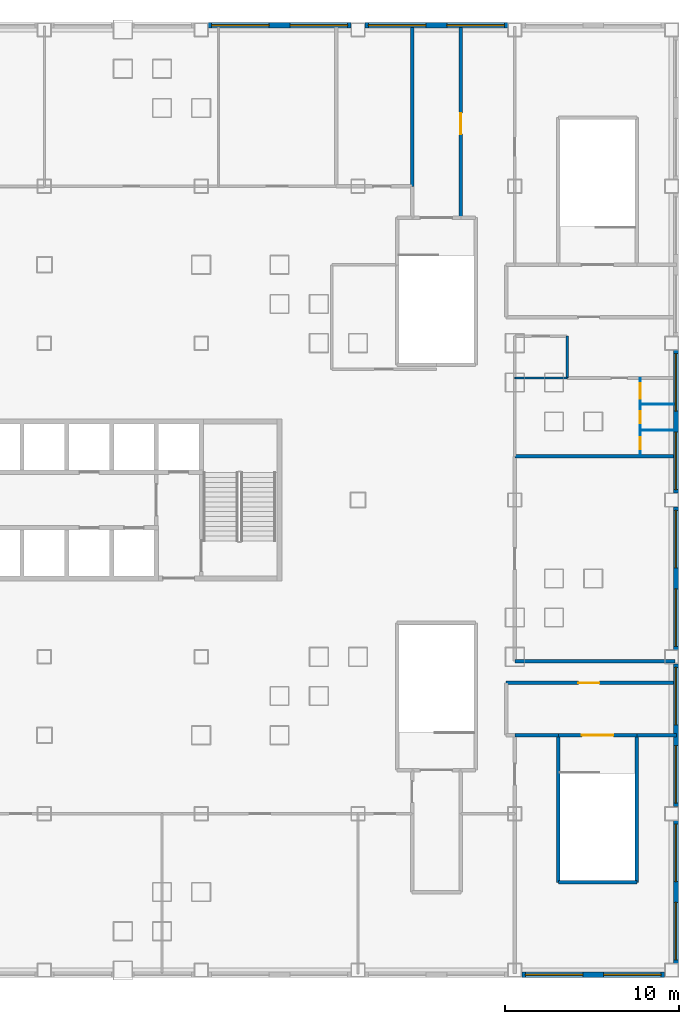
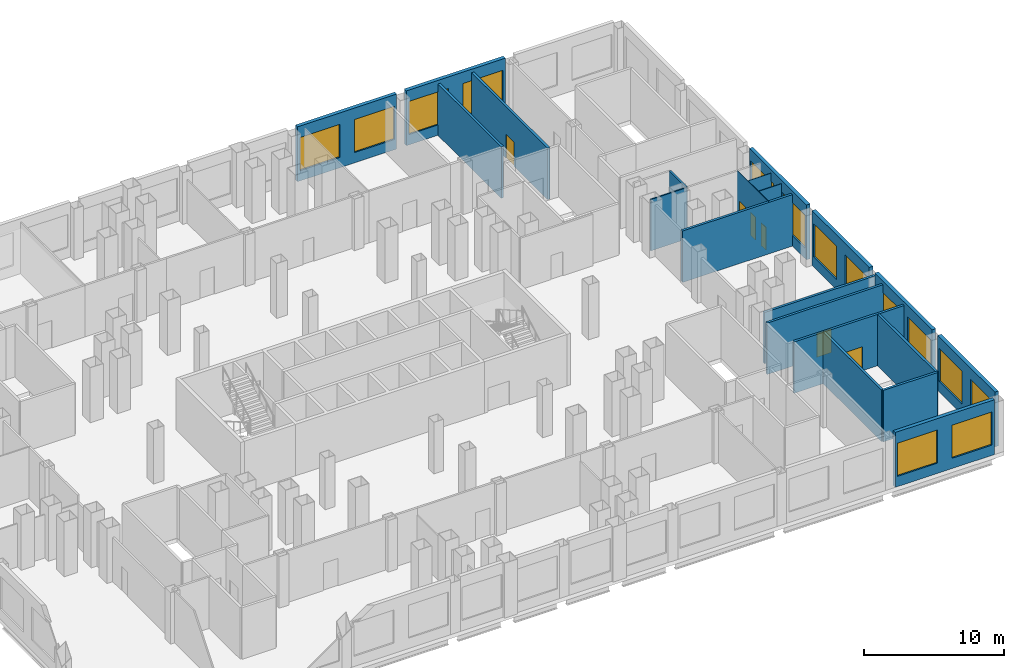
# One storey, part 7 of 13: 23 walls, 14 windows, 6 doors, 20 openings.
"""IFC4 building model written with IfcOpenShell, lengths in metres."""

from ifc_helpers import new_model, si_unit, direction, frame, frame_2d, origin, place, context, subcontext, project, spatial, rectangle, extrude, material, layer, layer_set, type_object, element, fill, save


model = new_model("IFC4")

# Units and contexts
model_context = context("Model", 3, precision=1e-05, world=origin(), true_north=direction((0.0, 1.0)))
body_context = subcontext(model_context, "Body", "Model", "MODEL_VIEW")
ifc_project = project(units=[si_unit("LENGTHUNIT", "METRE"), si_unit("AREAUNIT", "SQUARE_METRE"), si_unit("VOLUMEUNIT", "CUBIC_METRE"), si_unit("PLANEANGLEUNIT", "RADIAN"), si_unit("MASSUNIT", "GRAM", prefix="KILO")], contexts=[model_context])

# Site, building, storey
site_placement = place(None, origin())
site = spatial("IfcSite", under=ifc_project, at=site_placement, CompositionType="ELEMENT")
building_placement = place(site_placement, origin())
building = spatial("IfcBuilding", under=site, at=building_placement, Name="Caravel Reach Hotel and Residences", CompositionType="ELEMENT")
storey_placement = place(building_placement, frame((0.0, 0.0, 28.800048828125)))
storey = spatial("IfcBuildingStorey", under=building, at=storey_placement, Name="L05", CompositionType="ELEMENT", Elevation=28.800048828125)

# Walls
ifc_material_1 = material(Name="Autoclaved aerated block wall")
ifc_layer_1 = layer(ifc_material_1, 0.199951171875)
ifc_layer_set_1 = layer_set([ifc_layer_1], Name="Compartment wall 200 mm EI 120")
wall_type_1 = type_object("IfcWallType", Name="Compartment wall 200 mm EI 120", PredefinedType="PARTITIONING", material=ifc_layer_set_1)
wall_1_placement = place(storey_placement, frame((58.5, 13.5, 0.0), z_axis=(0.0, 0.0, 1.0), x_axis=(1.0, 0.0, 0.0)))
element("IfcWall", 1, at=wall_1_placement, inside=storey, type_object=wall_type_1, Name="L05 wall w045", PredefinedType="PARTITIONING", context=body_context, shape_type="SweptSolid", body=[
    extrude(rectangle(XDim=2.5, YDim=0.199951171875, at=frame_2d((1.25, 0.0))), origin(), (0.0, 0.0, 1.0), 4.5),
])
wall_2_placement = place(storey_placement, frame((65.5, 13.5, 0.0), z_axis=(0.0, 0.0, 1.0), x_axis=(1.0, 0.0, 0.0)))
element("IfcWall", 2, at=wall_2_placement, inside=storey, type_object=wall_type_1, Name="L05 wall w046", PredefinedType="PARTITIONING", context=body_context, shape_type="SweptSolid", body=[
    extrude(rectangle(XDim=2.2900390625, YDim=0.199951171875, at=frame_2d((1.14501953125, 0.0))), origin(), (0.0, 0.0, 1.0), 4.5),
])

# Wall, opening, door
wall_3_placement = place(storey_placement, frame((58.0, 16.5, 0.0), z_axis=(0.0, 0.0, 1.0), x_axis=(1.0, 0.0, 0.0)))
wall_3 = element("IfcWall", 3, at=wall_3_placement, inside=storey, type_object=wall_type_1, Name="L05 wall w047", PredefinedType="PARTITIONING", context=body_context, shape_type="SweptSolid", body=[
    extrude(rectangle(XDim=9.6201171875, YDim=0.199951171875, at=frame_2d((4.81005859375, 0.0))), origin(), (0.0, 0.0, 1.0), 4.5),
])
opening_1_placement = place(wall_3_placement, frame((4.14990234375, 0.0, 0.0)))
opening_1 = element("IfcOpeningElement", 4, at=opening_1_placement, cuts=wall_3, Name="Opening D05-026", PredefinedType="OPENING", context=body_context, shape_type="SweptSolid", body=[
    extrude(rectangle(XDim=1.199951171875, YDim=2.10009765625, at=frame_2d((0.60009765625, 1.050048828125))), frame((0.0, 0.10986328125, 0.0), z_axis=(0.0, -1.0, 0.0), x_axis=(1.0, 0.0, 0.0)), (0.0, 0.0, 1.0), 0.219970703125),
])
ifc_material_2 = material(Name="Steel fire door leaf", Category="steel")
door_type_1 = type_object("IfcDoorType", Name="Fire lobby door 1200 x 2100 EI 90", OperationType="SINGLE_SWING_LEFT", PredefinedType="DOOR", material=ifc_material_2)
door_1_placement = place(opening_1_placement, origin())
door_1 = element("IfcDoor", 5, at=door_1_placement, inside=storey, type_object=door_type_1, Name="door D05-026", OperationType="SINGLE_SWING_LEFT", OverallHeight=2.10009765625, OverallWidth=1.199951171875, PredefinedType="DOOR", context=body_context, shape_type="SweptSolid", body=[
    extrude(rectangle(XDim=1.199951171875, YDim=2.10009765625, at=frame_2d((0.60009765625, 1.050048828125))), frame((0.0, 0.02490234375, 0.0), z_axis=(0.0, -1.0, 0.0), x_axis=(1.0, 0.0, 0.0)), (0.0, 0.0, 1.0), 0.050048828125),
])
fill(opening_1, door_1)

# Walls
wall_4_placement = place(storey_placement, frame((58.5, 17.75, 0.0), z_axis=(0.0, 0.0, 1.0), x_axis=(1.0, 0.0, 0.0)))
element("IfcWall", 6, at=wall_4_placement, inside=storey, type_object=wall_type_1, Name="L05 wall w048", PredefinedType="PARTITIONING", context=body_context, shape_type="SweptSolid", body=[
    extrude(rectangle(XDim=9.18994140625, YDim=0.199951171875, at=frame_2d((4.594970703125, 0.0))), origin(), (0.0, 0.0, 1.0), 4.5),
])
for number, where, z_axis, x_axis, name in (
    (7, (58.5, 29.5, 0.0), (0.0, 0.0, 1.0), (1.0, 0.0, 0.0), "L05 wall w049"),
    (8, (52.60009765625, 45.0, 0.0), (0.0, 0.0, 1.0), (0.0, 1.0, 0.0), "L05 wall w068"),
):
    element("IfcWall", number, at=place(storey_placement, frame(where, z_axis=z_axis, x_axis=x_axis)), inside=storey, type_object=wall_type_1, Name=name, PredefinedType="PARTITIONING", context=body_context, shape_type="SweptSolid", body=[
        extrude(rectangle(XDim=9.1201171875, YDim=0.199951171875, at=frame_2d((4.56005859375, 0.0))), origin(), (0.0, 0.0, 1.0), 4.5),
    ])

# Wall, opening, door
wall_5_placement = place(storey_placement, frame((55.39990234375, 43.199951171875, 0.0), z_axis=(0.0, 0.0, 1.0), x_axis=(0.0, 1.0, 0.0)))
wall_5 = element("IfcWall", 9, at=wall_5_placement, inside=storey, type_object=wall_type_1, Name="L05 wall w071", PredefinedType="PARTITIONING", context=body_context, shape_type="SweptSolid", body=[
    extrude(rectangle(XDim=10.920166015625, YDim=0.199951171875, at=frame_2d((5.4599609375, 0.0))), origin(), (0.0, 0.0, 1.0), 4.5),
])
opening_2_placement = place(wall_5_placement, frame((4.800048828125, 0.0, 0.0)))
opening_2 = element("IfcOpeningElement", 10, at=opening_2_placement, cuts=wall_5, Name="Opening D05-016", PredefinedType="OPENING", context=body_context, shape_type="SweptSolid", body=[
    extrude(rectangle(XDim=1.199951171875, YDim=2.10009765625, at=frame_2d((0.60009765625, 1.050048828125))), frame((0.0, 0.10986328125, 0.0), z_axis=(0.0, -1.0, 0.0), x_axis=(1.0, 0.0, 0.0)), (0.0, 0.0, 1.0), 0.219970703125),
])
door_2_placement = place(opening_2_placement, origin())
door_2 = element("IfcDoor", 11, at=door_2_placement, inside=storey, type_object=door_type_1, Name="door D05-016", OperationType="SINGLE_SWING_LEFT", OverallHeight=2.10009765625, OverallWidth=1.199951171875, PredefinedType="DOOR", context=body_context, shape_type="SweptSolid", body=[
    extrude(rectangle(XDim=1.199951171875, YDim=2.10009765625, at=frame_2d((0.60009765625, 1.050048828125))), frame((0.0, 0.02490234375, 0.0), z_axis=(0.0, -1.0, 0.0), x_axis=(1.0, 0.0, 0.0)), (0.0, 0.0, 1.0), 0.050048828125),
])
fill(opening_2, door_2)

# Wall
ifc_material_3 = material(Name="Gypsum board on steel stud, fire-rated", Category="steel")
ifc_layer_2 = layer(ifc_material_3, 0.14990234375)
ifc_layer_set_2 = layer_set([ifc_layer_2], Name="Corridor wall 150 mm EI 60")
wall_type_2 = type_object("IfcWallType", Name="Corridor wall 150 mm EI 60", PredefinedType="PARTITIONING", material=ifc_layer_set_2)
wall_6_placement = place(storey_placement, frame((61.5, 34.0, 0.0), z_axis=(0.0, 0.0, 1.0), x_axis=(0.0, 1.0, 0.0)))
element("IfcWall", 12, at=wall_6_placement, inside=storey, type_object=wall_type_2, Name="L05 wall w031", PredefinedType="PARTITIONING", context=body_context, shape_type="SweptSolid", body=[
    extrude(rectangle(XDim=2.39990234375, YDim=0.14990234375, at=frame_2d((1.199951171875, 0.0))), origin(), (0.0, 0.0, 1.0), 4.5),
])

# Wall, openings, windows
ifc_material_4 = material(Name="Insulated wall, stone cladding", Category="masonry")
ifc_layer_3 = layer(ifc_material_4, 0.300048828125)
ifc_layer_set_3 = layer_set([ifc_layer_3], Name="EW2 Podium stone-clad wall")
wall_type_3 = type_object("IfcWallType", Name="EW2 Podium stone-clad wall", PredefinedType="SOLIDWALL", material=ifc_layer_set_3)
wall_7_placement = place(storey_placement, frame((67.75, 0.39990234375, 0.0), z_axis=(0.0, 0.0, 1.0), x_axis=(0.0, 1.0, 0.0)))
wall_7 = element("IfcWall", 13, at=wall_7_placement, inside=storey, type_object=wall_type_3, Name="External wall L05 E1.1", PredefinedType="SOLIDWALL", context=body_context, shape_type="SweptSolid", body=[
    extrude(rectangle(XDim=8.2001953125, YDim=0.300048828125, at=frame_2d((4.10009765625, 0.0))), origin(), (0.0, 0.0, 1.0), 4.800048828125),
])
opening_3_placement = place(wall_7_placement, frame((0.199951171875, 0.0, 0.89990234375)))
opening_3 = element("IfcOpeningElement", 14, at=opening_3_placement, cuts=wall_7, Name="Opening WN32", PredefinedType="OPENING", context=body_context, shape_type="SweptSolid", body=[
    extrude(rectangle(XDim=3.300048828125, YDim=2.89990234375, at=frame_2d((1.64990234375, 1.449951171875))), frame((0.0, 0.159912109375, 0.0), z_axis=(0.0, -1.0, 0.0), x_axis=(1.0, 0.0, 0.0)), (0.0, 0.0, 1.0), 0.320068359375),
])
opening_4_placement = place(wall_7_placement, frame((4.699951171875, 0.0, 0.89990234375)))
opening_4 = element("IfcOpeningElement", 15, at=opening_4_placement, cuts=wall_7, Name="Opening WN32", PredefinedType="OPENING", context=body_context, shape_type="SweptSolid", body=[
    extrude(rectangle(XDim=3.300048828125, YDim=2.89990234375, at=frame_2d((1.64990234375, 1.449951171875))), frame((0.0, 0.159912109375, 0.0), z_axis=(0.0, -1.0, 0.0), x_axis=(1.0, 0.0, 0.0)), (0.0, 0.0, 1.0), 0.320068359375),
])
ifc_material_5 = material(Name="Dark low-e glazing in black aluminium frame", Category="aluminium")
window_type = type_object("IfcWindowType", Name="Podium window 3300 x 2900", PartitioningType="SINGLE_PANEL", PredefinedType="WINDOW", material=ifc_material_5)
window_1_placement = place(opening_3_placement, origin())
window_1 = element("IfcWindow", 16, at=window_1_placement, inside=storey, type_object=window_type, Name="Window L05 E1.1.1", OverallHeight=2.89990234375, OverallWidth=3.300048828125, PartitioningType="SINGLE_PANEL", PredefinedType="WINDOW", context=body_context, shape_type="SweptSolid", body=[
    extrude(rectangle(XDim=3.300048828125, YDim=2.89990234375, at=frame_2d((1.64990234375, 1.449951171875))), frame((0.0, 0.030029296875, 0.0), z_axis=(0.0, -1.0, 0.0), x_axis=(1.0, 0.0, 0.0)), (0.0, 0.0, 1.0), 0.06005859375),
])
fill(opening_3, window_1)
window_2_placement = place(opening_4_placement, origin())
window_2 = element("IfcWindow", 17, at=window_2_placement, inside=storey, type_object=window_type, Name="Window L05 E1.1.2", OverallHeight=2.89990234375, OverallWidth=3.300048828125, PartitioningType="SINGLE_PANEL", PredefinedType="WINDOW", context=body_context, shape_type="SweptSolid", body=[
    extrude(rectangle(XDim=3.300048828125, YDim=2.89990234375, at=frame_2d((1.64990234375, 1.449951171875))), frame((0.0, 0.030029296875, 0.0), z_axis=(0.0, -1.0, 0.0), x_axis=(1.0, 0.0, 0.0)), (0.0, 0.0, 1.0), 0.06005859375),
])
fill(opening_4, window_2)

wall_8_placement = place(storey_placement, frame((67.75, 9.39990234375, 0.0), z_axis=(0.0, 0.0, 1.0), x_axis=(0.0, 1.0, 0.0)))
wall_8 = element("IfcWall", 18, at=wall_8_placement, inside=storey, type_object=wall_type_3, Name="External wall L05 E1.2", PredefinedType="SOLIDWALL", context=body_context, shape_type="SweptSolid", body=[
    extrude(rectangle(XDim=8.2001953125, YDim=0.300048828125, at=frame_2d((4.10009765625, 0.0))), origin(), (0.0, 0.0, 1.0), 4.800048828125),
])
opening_5_placement = place(wall_8_placement, frame((0.199951171875, 0.0, 0.89990234375)))
opening_5 = element("IfcOpeningElement", 19, at=opening_5_placement, cuts=wall_8, Name="Opening WN32", PredefinedType="OPENING", context=body_context, shape_type="SweptSolid", body=[
    extrude(rectangle(XDim=3.300048828125, YDim=2.89990234375, at=frame_2d((1.64990234375, 1.449951171875))), frame((0.0, 0.159912109375, 0.0), z_axis=(0.0, -1.0, 0.0), x_axis=(1.0, 0.0, 0.0)), (0.0, 0.0, 1.0), 0.320068359375),
])
opening_6_placement = place(wall_8_placement, frame((4.699951171875, 0.0, 0.89990234375)))
opening_6 = element("IfcOpeningElement", 20, at=opening_6_placement, cuts=wall_8, Name="Opening WN32", PredefinedType="OPENING", context=body_context, shape_type="SweptSolid", body=[
    extrude(rectangle(XDim=3.300048828125, YDim=2.89990234375, at=frame_2d((1.64990234375, 1.449951171875))), frame((0.0, 0.159912109375, 0.0), z_axis=(0.0, -1.0, 0.0), x_axis=(1.0, 0.0, 0.0)), (0.0, 0.0, 1.0), 0.320068359375),
])
window_3_placement = place(opening_5_placement, origin())
window_3 = element("IfcWindow", 21, at=window_3_placement, inside=storey, type_object=window_type, Name="Window L05 E1.2.1", OverallHeight=2.89990234375, OverallWidth=3.300048828125, PartitioningType="SINGLE_PANEL", PredefinedType="WINDOW", context=body_context, shape_type="SweptSolid", body=[
    extrude(rectangle(XDim=3.300048828125, YDim=2.89990234375, at=frame_2d((1.64990234375, 1.449951171875))), frame((0.0, 0.030029296875, 0.0), z_axis=(0.0, -1.0, 0.0), x_axis=(1.0, 0.0, 0.0)), (0.0, 0.0, 1.0), 0.06005859375),
])
fill(opening_5, window_3)
window_4_placement = place(opening_6_placement, origin())
window_4 = element("IfcWindow", 22, at=window_4_placement, inside=storey, type_object=window_type, Name="Window L05 E1.2.2", OverallHeight=2.89990234375, OverallWidth=3.300048828125, PartitioningType="SINGLE_PANEL", PredefinedType="WINDOW", context=body_context, shape_type="SweptSolid", body=[
    extrude(rectangle(XDim=3.300048828125, YDim=2.89990234375, at=frame_2d((1.64990234375, 1.449951171875))), frame((0.0, 0.030029296875, 0.0), z_axis=(0.0, -1.0, 0.0), x_axis=(1.0, 0.0, 0.0)), (0.0, 0.0, 1.0), 0.06005859375),
])
fill(opening_6, window_4)

wall_9_placement = place(storey_placement, frame((67.75, 18.39990234375, 0.0), z_axis=(0.0, 0.0, 1.0), x_axis=(0.0, 1.0, 0.0)))
wall_9 = element("IfcWall", 23, at=wall_9_placement, inside=storey, type_object=wall_type_3, Name="External wall L05 E1.3", PredefinedType="SOLIDWALL", context=body_context, shape_type="SweptSolid", body=[
    extrude(rectangle(XDim=8.2001953125, YDim=0.300048828125, at=frame_2d((4.10009765625, 0.0))), origin(), (0.0, 0.0, 1.0), 4.800048828125),
])
opening_7_placement = place(wall_9_placement, frame((0.199951171875, 0.0, 0.89990234375)))
opening_7 = element("IfcOpeningElement", 24, at=opening_7_placement, cuts=wall_9, Name="Opening WN32", PredefinedType="OPENING", context=body_context, shape_type="SweptSolid", body=[
    extrude(rectangle(XDim=3.300048828125, YDim=2.89990234375, at=frame_2d((1.64990234375, 1.449951171875))), frame((0.0, 0.159912109375, 0.0), z_axis=(0.0, -1.0, 0.0), x_axis=(1.0, 0.0, 0.0)), (0.0, 0.0, 1.0), 0.320068359375),
])
opening_8_placement = place(wall_9_placement, frame((4.699951171875, 0.0, 0.89990234375)))
opening_8 = element("IfcOpeningElement", 25, at=opening_8_placement, cuts=wall_9, Name="Opening WN32", PredefinedType="OPENING", context=body_context, shape_type="SweptSolid", body=[
    extrude(rectangle(XDim=3.300048828125, YDim=2.89990234375, at=frame_2d((1.64990234375, 1.449951171875))), frame((0.0, 0.159912109375, 0.0), z_axis=(0.0, -1.0, 0.0), x_axis=(1.0, 0.0, 0.0)), (0.0, 0.0, 1.0), 0.320068359375),
])
window_5_placement = place(opening_7_placement, origin())
window_5 = element("IfcWindow", 26, at=window_5_placement, inside=storey, type_object=window_type, Name="Window L05 E1.3.1", OverallHeight=2.89990234375, OverallWidth=3.300048828125, PartitioningType="SINGLE_PANEL", PredefinedType="WINDOW", context=body_context, shape_type="SweptSolid", body=[
    extrude(rectangle(XDim=3.300048828125, YDim=2.89990234375, at=frame_2d((1.64990234375, 1.449951171875))), frame((0.0, 0.030029296875, 0.0), z_axis=(0.0, -1.0, 0.0), x_axis=(1.0, 0.0, 0.0)), (0.0, 0.0, 1.0), 0.06005859375),
])
fill(opening_7, window_5)
window_6_placement = place(opening_8_placement, origin())
window_6 = element("IfcWindow", 27, at=window_6_placement, inside=storey, type_object=window_type, Name="Window L05 E1.3.2", OverallHeight=2.89990234375, OverallWidth=3.300048828125, PartitioningType="SINGLE_PANEL", PredefinedType="WINDOW", context=body_context, shape_type="SweptSolid", body=[
    extrude(rectangle(XDim=3.300048828125, YDim=2.89990234375, at=frame_2d((1.64990234375, 1.449951171875))), frame((0.0, 0.030029296875, 0.0), z_axis=(0.0, -1.0, 0.0), x_axis=(1.0, 0.0, 0.0)), (0.0, 0.0, 1.0), 0.06005859375),
])
fill(opening_8, window_6)

wall_10_placement = place(storey_placement, frame((67.75, 27.39990234375, 0.0), z_axis=(0.0, 0.0, 1.0), x_axis=(0.0, 1.0, 0.0)))
wall_10 = element("IfcWall", 28, at=wall_10_placement, inside=storey, type_object=wall_type_3, Name="External wall L05 E1.4", PredefinedType="SOLIDWALL", context=body_context, shape_type="SweptSolid", body=[
    extrude(rectangle(XDim=8.2001953125, YDim=0.300048828125, at=frame_2d((4.10009765625, 0.0))), origin(), (0.0, 0.0, 1.0), 4.800048828125),
])
opening_9_placement = place(wall_10_placement, frame((0.199951171875, 0.0, 0.89990234375)))
opening_9 = element("IfcOpeningElement", 29, at=opening_9_placement, cuts=wall_10, Name="Opening WN32", PredefinedType="OPENING", context=body_context, shape_type="SweptSolid", body=[
    extrude(rectangle(XDim=3.300048828125, YDim=2.89990234375, at=frame_2d((1.64990234375, 1.449951171875))), frame((0.0, 0.159912109375, 0.0), z_axis=(0.0, -1.0, 0.0), x_axis=(1.0, 0.0, 0.0)), (0.0, 0.0, 1.0), 0.320068359375),
])
opening_10_placement = place(wall_10_placement, frame((4.699951171875, 0.0, 0.89990234375)))
opening_10 = element("IfcOpeningElement", 30, at=opening_10_placement, cuts=wall_10, Name="Opening WN32", PredefinedType="OPENING", context=body_context, shape_type="SweptSolid", body=[
    extrude(rectangle(XDim=3.300048828125, YDim=2.89990234375, at=frame_2d((1.64990234375, 1.449951171875))), frame((0.0, 0.159912109375, 0.0), z_axis=(0.0, -1.0, 0.0), x_axis=(1.0, 0.0, 0.0)), (0.0, 0.0, 1.0), 0.320068359375),
])
window_7_placement = place(opening_9_placement, origin())
window_7 = element("IfcWindow", 31, at=window_7_placement, inside=storey, type_object=window_type, Name="Window L05 E1.4.1", OverallHeight=2.89990234375, OverallWidth=3.300048828125, PartitioningType="SINGLE_PANEL", PredefinedType="WINDOW", context=body_context, shape_type="SweptSolid", body=[
    extrude(rectangle(XDim=3.300048828125, YDim=2.89990234375, at=frame_2d((1.64990234375, 1.449951171875))), frame((0.0, 0.030029296875, 0.0), z_axis=(0.0, -1.0, 0.0), x_axis=(1.0, 0.0, 0.0)), (0.0, 0.0, 1.0), 0.06005859375),
])
fill(opening_9, window_7)
window_8_placement = place(opening_10_placement, origin())
window_8 = element("IfcWindow", 32, at=window_8_placement, inside=storey, type_object=window_type, Name="Window L05 E1.4.2", OverallHeight=2.89990234375, OverallWidth=3.300048828125, PartitioningType="SINGLE_PANEL", PredefinedType="WINDOW", context=body_context, shape_type="SweptSolid", body=[
    extrude(rectangle(XDim=3.300048828125, YDim=2.89990234375, at=frame_2d((1.64990234375, 1.449951171875))), frame((0.0, 0.030029296875, 0.0), z_axis=(0.0, -1.0, 0.0), x_axis=(1.0, 0.0, 0.0)), (0.0, 0.0, 1.0), 0.06005859375),
])
fill(opening_10, window_8)

wall_11_placement = place(storey_placement, frame((58.10009765625, 54.25, 0.0), z_axis=(0.0, 0.0, 1.0), x_axis=(-1.0, 0.0, 0.0)))
wall_11 = element("IfcWall", 33, at=wall_11_placement, inside=storey, type_object=wall_type_3, Name="External wall L05 N2.2", PredefinedType="SOLIDWALL", context=body_context, shape_type="SweptSolid", body=[
    extrude(rectangle(XDim=8.2001953125, YDim=0.300048828125, at=frame_2d((4.10009765625, 0.0))), origin(), (0.0, 0.0, 1.0), 4.800048828125),
])
opening_11_placement = place(wall_11_placement, frame((0.199951171875, 0.0, 0.89990234375)))
opening_11 = element("IfcOpeningElement", 34, at=opening_11_placement, cuts=wall_11, Name="Opening WN32", PredefinedType="OPENING", context=body_context, shape_type="SweptSolid", body=[
    extrude(rectangle(XDim=3.300048828125, YDim=2.89990234375, at=frame_2d((1.64990234375, 1.449951171875))), frame((0.0, 0.159912109375, 0.0), z_axis=(0.0, -1.0, 0.0), x_axis=(1.0, 0.0, 0.0)), (0.0, 0.0, 1.0), 0.320068359375),
])
opening_12_placement = place(wall_11_placement, frame((4.699951171875, 0.0, 0.89990234375)))
opening_12 = element("IfcOpeningElement", 35, at=opening_12_placement, cuts=wall_11, Name="Opening WN32", PredefinedType="OPENING", context=body_context, shape_type="SweptSolid", body=[
    extrude(rectangle(XDim=3.300048828125, YDim=2.89990234375, at=frame_2d((1.64990234375, 1.449951171875))), frame((0.0, 0.159912109375, 0.0), z_axis=(0.0, -1.0, 0.0), x_axis=(1.0, 0.0, 0.0)), (0.0, 0.0, 1.0), 0.320068359375),
])
window_9_placement = place(opening_11_placement, origin())
window_9 = element("IfcWindow", 36, at=window_9_placement, inside=storey, type_object=window_type, Name="Window L05 N2.2.1", OverallHeight=2.89990234375, OverallWidth=3.300048828125, PartitioningType="SINGLE_PANEL", PredefinedType="WINDOW", context=body_context, shape_type="SweptSolid", body=[
    extrude(rectangle(XDim=3.300048828125, YDim=2.89990234375, at=frame_2d((1.64990234375, 1.449951171875))), frame((0.0, 0.030029296875, 0.0), z_axis=(0.0, -1.0, 0.0), x_axis=(1.0, 0.0, 0.0)), (0.0, 0.0, 1.0), 0.06005859375),
])
fill(opening_11, window_9)
window_10_placement = place(opening_12_placement, origin())
window_10 = element("IfcWindow", 37, at=window_10_placement, inside=storey, type_object=window_type, Name="Window L05 N2.2.2", OverallHeight=2.89990234375, OverallWidth=3.300048828125, PartitioningType="SINGLE_PANEL", PredefinedType="WINDOW", context=body_context, shape_type="SweptSolid", body=[
    extrude(rectangle(XDim=3.300048828125, YDim=2.89990234375, at=frame_2d((1.64990234375, 1.449951171875))), frame((0.0, 0.030029296875, 0.0), z_axis=(0.0, -1.0, 0.0), x_axis=(1.0, 0.0, 0.0)), (0.0, 0.0, 1.0), 0.06005859375),
])
fill(opening_12, window_10)

wall_12_placement = place(storey_placement, frame((49.10009765625, 54.25, 0.0), z_axis=(0.0, 0.0, 1.0), x_axis=(-1.0, 0.0, 0.0)))
wall_12 = element("IfcWall", 38, at=wall_12_placement, inside=storey, type_object=wall_type_3, Name="External wall L05 N2.3", PredefinedType="SOLIDWALL", context=body_context, shape_type="SweptSolid", body=[
    extrude(rectangle(XDim=8.2001953125, YDim=0.300048828125, at=frame_2d((4.10009765625, 0.0))), origin(), (0.0, 0.0, 1.0), 4.800048828125),
])
opening_13_placement = place(wall_12_placement, frame((0.199951171875, 0.0, 0.89990234375)))
opening_13 = element("IfcOpeningElement", 39, at=opening_13_placement, cuts=wall_12, Name="Opening WN32", PredefinedType="OPENING", context=body_context, shape_type="SweptSolid", body=[
    extrude(rectangle(XDim=3.300048828125, YDim=2.89990234375, at=frame_2d((1.64990234375, 1.449951171875))), frame((0.0, 0.159912109375, 0.0), z_axis=(0.0, -1.0, 0.0), x_axis=(1.0, 0.0, 0.0)), (0.0, 0.0, 1.0), 0.320068359375),
])
opening_14_placement = place(wall_12_placement, frame((4.699951171875, 0.0, 0.89990234375)))
opening_14 = element("IfcOpeningElement", 40, at=opening_14_placement, cuts=wall_12, Name="Opening WN32", PredefinedType="OPENING", context=body_context, shape_type="SweptSolid", body=[
    extrude(rectangle(XDim=3.300048828125, YDim=2.89990234375, at=frame_2d((1.64990234375, 1.449951171875))), frame((0.0, 0.159912109375, 0.0), z_axis=(0.0, -1.0, 0.0), x_axis=(1.0, 0.0, 0.0)), (0.0, 0.0, 1.0), 0.320068359375),
])
window_11_placement = place(opening_13_placement, origin())
window_11 = element("IfcWindow", 41, at=window_11_placement, inside=storey, type_object=window_type, Name="Window L05 N2.3.1", OverallHeight=2.89990234375, OverallWidth=3.300048828125, PartitioningType="SINGLE_PANEL", PredefinedType="WINDOW", context=body_context, shape_type="SweptSolid", body=[
    extrude(rectangle(XDim=3.300048828125, YDim=2.89990234375, at=frame_2d((1.64990234375, 1.449951171875))), frame((0.0, 0.030029296875, 0.0), z_axis=(0.0, -1.0, 0.0), x_axis=(1.0, 0.0, 0.0)), (0.0, 0.0, 1.0), 0.06005859375),
])
fill(opening_13, window_11)
window_12_placement = place(opening_14_placement, origin())
window_12 = element("IfcWindow", 42, at=window_12_placement, inside=storey, type_object=window_type, Name="Window L05 N2.3.2", OverallHeight=2.89990234375, OverallWidth=3.300048828125, PartitioningType="SINGLE_PANEL", PredefinedType="WINDOW", context=body_context, shape_type="SweptSolid", body=[
    extrude(rectangle(XDim=3.300048828125, YDim=2.89990234375, at=frame_2d((1.64990234375, 1.449951171875))), frame((0.0, 0.030029296875, 0.0), z_axis=(0.0, -1.0, 0.0), x_axis=(1.0, 0.0, 0.0)), (0.0, 0.0, 1.0), 0.06005859375),
])
fill(opening_14, window_12)

wall_13_placement = place(storey_placement, frame((58.89990234375, -0.25, 0.0), z_axis=(0.0, 0.0, 1.0), x_axis=(1.0, 0.0, 0.0)))
wall_13 = element("IfcWall", 43, at=wall_13_placement, inside=storey, type_object=wall_type_3, Name="External wall L05 S4.10", PredefinedType="SOLIDWALL", context=body_context, shape_type="SweptSolid", body=[
    extrude(rectangle(XDim=8.2001953125, YDim=0.300048828125, at=frame_2d((4.10009765625, 0.0))), origin(), (0.0, 0.0, 1.0), 4.800048828125),
])
opening_15_placement = place(wall_13_placement, frame((0.199951171875, 0.0, 0.89990234375)))
opening_15 = element("IfcOpeningElement", 44, at=opening_15_placement, cuts=wall_13, Name="Opening WN32", PredefinedType="OPENING", context=body_context, shape_type="SweptSolid", body=[
    extrude(rectangle(XDim=3.300048828125, YDim=2.89990234375, at=frame_2d((1.64990234375, 1.449951171875))), frame((0.0, 0.159912109375, 0.0), z_axis=(0.0, -1.0, 0.0), x_axis=(1.0, 0.0, 0.0)), (0.0, 0.0, 1.0), 0.320068359375),
])
opening_16_placement = place(wall_13_placement, frame((4.699951171875, 0.0, 0.89990234375)))
opening_16 = element("IfcOpeningElement", 45, at=opening_16_placement, cuts=wall_13, Name="Opening WN32", PredefinedType="OPENING", context=body_context, shape_type="SweptSolid", body=[
    extrude(rectangle(XDim=3.300048828125, YDim=2.89990234375, at=frame_2d((1.64990234375, 1.449951171875))), frame((0.0, 0.159912109375, 0.0), z_axis=(0.0, -1.0, 0.0), x_axis=(1.0, 0.0, 0.0)), (0.0, 0.0, 1.0), 0.320068359375),
])
window_13_placement = place(opening_15_placement, origin())
window_13 = element("IfcWindow", 46, at=window_13_placement, inside=storey, type_object=window_type, Name="Window L05 S4.10.1", OverallHeight=2.89990234375, OverallWidth=3.300048828125, PartitioningType="SINGLE_PANEL", PredefinedType="WINDOW", context=body_context, shape_type="SweptSolid", body=[
    extrude(rectangle(XDim=3.300048828125, YDim=2.89990234375, at=frame_2d((1.64990234375, 1.449951171875))), frame((0.0, 0.030029296875, 0.0), z_axis=(0.0, -1.0, 0.0), x_axis=(1.0, 0.0, 0.0)), (0.0, 0.0, 1.0), 0.06005859375),
])
fill(opening_15, window_13)
window_14_placement = place(opening_16_placement, origin())
window_14 = element("IfcWindow", 47, at=window_14_placement, inside=storey, type_object=window_type, Name="Window L05 S4.10.2", OverallHeight=2.89990234375, OverallWidth=3.300048828125, PartitioningType="SINGLE_PANEL", PredefinedType="WINDOW", context=body_context, shape_type="SweptSolid", body=[
    extrude(rectangle(XDim=3.300048828125, YDim=2.89990234375, at=frame_2d((1.64990234375, 1.449951171875))), frame((0.0, 0.030029296875, 0.0), z_axis=(0.0, -1.0, 0.0), x_axis=(1.0, 0.0, 0.0)), (0.0, 0.0, 1.0), 0.06005859375),
])
fill(opening_16, window_14)

# Wall
ifc_material_6 = material(Name="Gypsum board on steel stud", Category="steel")
ifc_layer_4 = layer(ifc_material_6, 0.10009765625)
ifc_layer_set_4 = layer_set([ifc_layer_4], Name="Partition 100 mm")
wall_type_4 = type_object("IfcWallType", Name="Partition 100 mm", PredefinedType="PARTITIONING", material=ifc_layer_set_4)
wall_14_placement = place(storey_placement, frame((58.5, 34.0, 0.0), z_axis=(0.0, 0.0, 1.0), x_axis=(1.0, 0.0, 0.0)))
element("IfcWall", 48, at=wall_14_placement, inside=storey, type_object=wall_type_4, Name="L05 wall w035", PredefinedType="PARTITIONING", context=body_context, shape_type="SweptSolid", body=[
    extrude(rectangle(XDim=3.0, YDim=0.10009765625, at=frame_2d((1.5, 0.0))), origin(), (0.0, 0.0, 1.0), 4.5),
])

# Wall, opening, door
ifc_material_7 = material(Name="Concrete C60", Category="concrete")
ifc_layer_5 = layer(ifc_material_7, 0.199951171875)
ifc_layer_set_5 = layer_set([ifc_layer_5], Name="Stair enclosure wall 200 mm EI 120")
wall_type_5 = type_object("IfcWallType", Name="Stair enclosure wall 200 mm EI 120", PredefinedType="SHEAR", material=ifc_layer_set_5)
wall_15_placement = place(storey_placement, frame((61.0, 13.5, 0.0), z_axis=(0.0, 0.0, 1.0), x_axis=(1.0, 0.0, 0.0)))
wall_15 = element("IfcWall", 49, at=wall_15_placement, inside=storey, type_object=wall_type_5, Name="L05 wall w088", PredefinedType="SHEAR", context=body_context, shape_type="SweptSolid", body=[
    extrude(rectangle(XDim=4.5, YDim=0.199951171875, at=frame_2d((2.25, 0.0))), origin(), (0.0, 0.0, 1.0), 4.5),
])
opening_17_placement = place(wall_15_placement, frame((1.35009765625, 0.0, 0.0)))
opening_17 = element("IfcOpeningElement", 50, at=opening_17_placement, cuts=wall_15, Name="Opening D05-027", PredefinedType="OPENING", context=body_context, shape_type="SweptSolid", body=[
    extrude(rectangle(XDim=1.800048828125, YDim=2.10009765625, at=frame_2d((0.89990234375, 1.050048828125))), frame((0.0, 0.10986328125, 0.0), z_axis=(0.0, -1.0, 0.0), x_axis=(1.0, 0.0, 0.0)), (0.0, 0.0, 1.0), 0.219970703125),
])
ifc_material_8 = material(Name="Steel fire door leaf", Category="steel")
door_type_2 = type_object("IfcDoorType", Name="Stair door pair 1800 x 2100 EI 90", OperationType="DOUBLE_DOOR_SINGLE_SWING", PredefinedType="DOOR", material=ifc_material_8)
door_3_placement = place(opening_17_placement, origin())
door_3 = element("IfcDoor", 51, at=door_3_placement, inside=storey, type_object=door_type_2, Name="door D05-027", OperationType="DOUBLE_DOOR_SINGLE_SWING", OverallHeight=2.10009765625, OverallWidth=1.800048828125, PredefinedType="DOOR", context=body_context, shape_type="SweptSolid", body=[
    extrude(rectangle(XDim=1.800048828125, YDim=2.10009765625, at=frame_2d((0.89990234375, 1.050048828125))), frame((0.0, 0.02490234375, 0.0), z_axis=(0.0, -1.0, 0.0), x_axis=(1.0, 0.0, 0.0)), (0.0, 0.0, 1.0), 0.050048828125),
])
fill(opening_17, door_3)

# Walls
wall_16_placement = place(storey_placement, frame((61.0, 5.050048828125, 0.0), z_axis=(0.0, 0.0, 1.0), x_axis=(1.0, 0.0, 0.0)))
element("IfcWall", 52, at=wall_16_placement, inside=storey, type_object=wall_type_5, Name="L05 wall w104", PredefinedType="SHEAR", context=body_context, shape_type="SweptSolid", body=[
    extrude(rectangle(XDim=4.5, YDim=0.199951171875, at=frame_2d((2.25, 0.0))), origin(), (0.0, 0.0, 1.0), 4.5),
])
for number, where, z_axis, x_axis, name in (
    (53, (61.0, 5.050048828125, 0.0), (0.0, 0.0, 1.0), (0.0, 1.0, 0.0), "L05 wall w119"),
    (54, (65.5, 5.050048828125, 0.0), (0.0, 0.0, 1.0), (0.0, 1.0, 0.0), "L05 wall w121"),
):
    element("IfcWall", number, at=place(storey_placement, frame(where, z_axis=z_axis, x_axis=x_axis)), inside=storey, type_object=wall_type_5, Name=name, PredefinedType="SHEAR", context=body_context, shape_type="SweptSolid", body=[
        extrude(rectangle(XDim=8.449951171875, YDim=0.199951171875, at=frame_2d((4.22509765625, 0.0))), origin(), (0.0, 0.0, 1.0), 4.5),
    ])
ifc_material_9 = material(Name="Laminate cubicle panel")
ifc_layer_6 = layer(ifc_material_9, 0.0400390625)
ifc_layer_set_6 = layer_set([ifc_layer_6], Name="WC cubicle partition 40 mm")
wall_type_6 = type_object("IfcWallType", Name="WC cubicle partition 40 mm", PredefinedType="PARTITIONING", material=ifc_layer_set_6)
wall_17_placement = place(storey_placement, frame((67.7900390625, 31.0, 0.0), z_axis=(0.0, 0.0, 1.0), x_axis=(-1.0, 0.0, 0.0)))
element("IfcWall", 55, at=wall_17_placement, inside=storey, type_object=wall_type_6, Name="L05 wall cbr08.d1", PredefinedType="PARTITIONING", context=body_context, shape_type="SweptSolid", body=[
    extrude(rectangle(XDim=2.090087890625, YDim=0.0400390625, at=frame_2d((1.044921875, 0.0))), origin(), (0.0, 0.0, 1.0), 4.5),
])
wall_18_placement = place(storey_placement, frame((67.6201171875, 32.5, 0.0), z_axis=(0.0, 0.0, 1.0), x_axis=(-1.0, 0.0, 0.0)))
element("IfcWall", 56, at=wall_18_placement, inside=storey, type_object=wall_type_6, Name="L05 wall cbr08.d2", PredefinedType="PARTITIONING", context=body_context, shape_type="SweptSolid", body=[
    extrude(rectangle(XDim=1.920166015625, YDim=0.0400390625, at=frame_2d((0.9599609375, 0.0))), origin(), (0.0, 0.0, 1.0), 4.5),
])

# Wall, openings, doors
wall_19_placement = place(storey_placement, frame((65.699951171875, 29.5, 0.0), z_axis=(0.0, 0.0, 1.0), x_axis=(0.0, 1.0, 0.0)))
wall_19 = element("IfcWall", 57, at=wall_19_placement, inside=storey, type_object=wall_type_6, Name="L05 wall cbr08.f", PredefinedType="PARTITIONING", context=body_context, shape_type="SweptSolid", body=[
    extrude(rectangle(XDim=4.5, YDim=0.0400390625, at=frame_2d((2.25, 0.0))), origin(), (0.0, 0.0, 1.0), 4.5),
])
opening_18_placement = place(wall_19_placement, frame((0.39990234375, 0.0, 0.0)))
opening_18 = element("IfcOpeningElement", 58, at=opening_18_placement, cuts=wall_19, Name="Opening D05-053", PredefinedType="OPENING", context=body_context, shape_type="SweptSolid", body=[
    extrude(rectangle(XDim=0.699951171875, YDim=2.0, at=frame_2d((0.35009765625, 1.0))), frame((0.0, 0.030029296875, 0.0), z_axis=(0.0, -1.0, 0.0), x_axis=(1.0, 0.0, 0.0)), (0.0, 0.0, 1.0), 0.06005859375),
])
opening_19_placement = place(wall_19_placement, frame((1.89990234375, 0.0, 0.0)))
opening_19 = element("IfcOpeningElement", 59, at=opening_19_placement, cuts=wall_19, Name="Opening D05-054", PredefinedType="OPENING", context=body_context, shape_type="SweptSolid", body=[
    extrude(rectangle(XDim=0.699951171875, YDim=2.0, at=frame_2d((0.35009765625, 1.0))), frame((0.0, 0.030029296875, 0.0), z_axis=(0.0, -1.0, 0.0), x_axis=(1.0, 0.0, 0.0)), (0.0, 0.0, 1.0), 0.06005859375),
])
opening_20_placement = place(wall_19_placement, frame((3.300048828125, 0.0, 0.0)))
opening_20 = element("IfcOpeningElement", 60, at=opening_20_placement, cuts=wall_19, Name="Opening D05-055", PredefinedType="OPENING", context=body_context, shape_type="SweptSolid", body=[
    extrude(rectangle(XDim=0.89990234375, YDim=2.0, at=frame_2d((0.449951171875, 1.0))), frame((0.0, 0.030029296875, 0.0), z_axis=(0.0, -1.0, 0.0), x_axis=(1.0, 0.0, 0.0)), (0.0, 0.0, 1.0), 0.06005859375),
])
ifc_material_10 = material(Name="Timber and steel door leaf", Category="steel")
door_type_3 = type_object("IfcDoorType", Name="Accessible cubicle door 900 x 2000", OperationType="SINGLE_SWING_LEFT", PredefinedType="DOOR", material=ifc_material_10)
door_4_placement = place(opening_20_placement, origin())
door_4 = element("IfcDoor", 61, at=door_4_placement, inside=storey, type_object=door_type_3, Name="door D05-055", OperationType="SINGLE_SWING_RIGHT", OverallHeight=2.0, OverallWidth=0.89990234375, PredefinedType="DOOR", context=body_context, shape_type="SweptSolid", body=[
    extrude(rectangle(XDim=0.89990234375, YDim=2.0, at=frame_2d((0.449951171875, 1.0))), frame((0.0, 0.019775390625, 0.0), z_axis=(0.0, -1.0, 0.0), x_axis=(1.0, 0.0, 0.0)), (0.0, 0.0, 1.0), 0.03955078125),
])
fill(opening_20, door_4)
ifc_material_11 = material(Name="Timber and steel door leaf", Category="steel")
door_type_4 = type_object("IfcDoorType", Name="WC cubicle door 700 x 2000", OperationType="SINGLE_SWING_LEFT", PredefinedType="DOOR", material=ifc_material_11)
door_5_placement = place(opening_18_placement, origin())
door_5 = element("IfcDoor", 62, at=door_5_placement, inside=storey, type_object=door_type_4, Name="door D05-053", OperationType="SINGLE_SWING_LEFT", OverallHeight=2.0, OverallWidth=0.699951171875, PredefinedType="DOOR", context=body_context, shape_type="SweptSolid", body=[
    extrude(rectangle(XDim=0.699951171875, YDim=2.0, at=frame_2d((0.35009765625, 1.0))), frame((0.0, 0.019775390625, 0.0), z_axis=(0.0, -1.0, 0.0), x_axis=(1.0, 0.0, 0.0)), (0.0, 0.0, 1.0), 0.03955078125),
])
fill(opening_18, door_5)
door_6_placement = place(opening_19_placement, origin())
door_6 = element("IfcDoor", 63, at=door_6_placement, inside=storey, type_object=door_type_4, Name="door D05-054", OperationType="SINGLE_SWING_LEFT", OverallHeight=2.0, OverallWidth=0.699951171875, PredefinedType="DOOR", context=body_context, shape_type="SweptSolid", body=[
    extrude(rectangle(XDim=0.699951171875, YDim=2.0, at=frame_2d((0.35009765625, 1.0))), frame((0.0, 0.019775390625, 0.0), z_axis=(0.0, -1.0, 0.0), x_axis=(1.0, 0.0, 0.0)), (0.0, 0.0, 1.0), 0.03955078125),
])
fill(opening_19, door_6)

save(model, "model.ifc")
